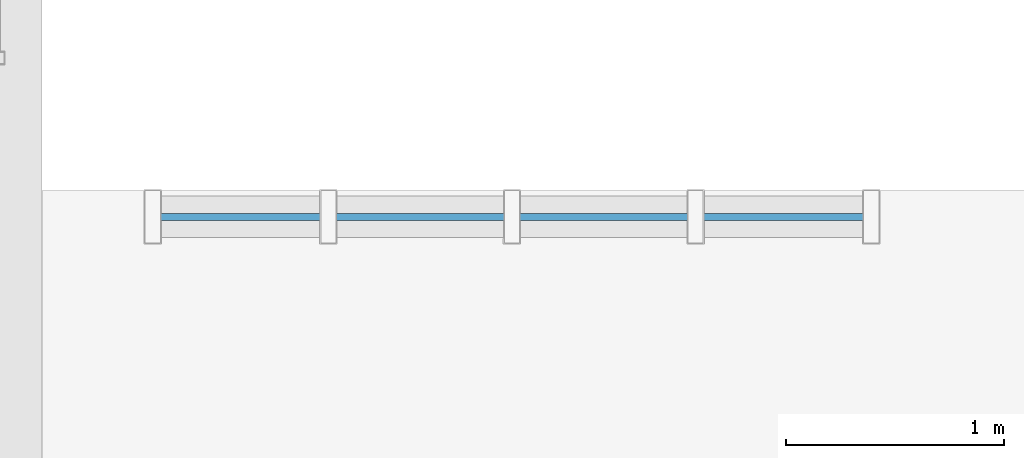
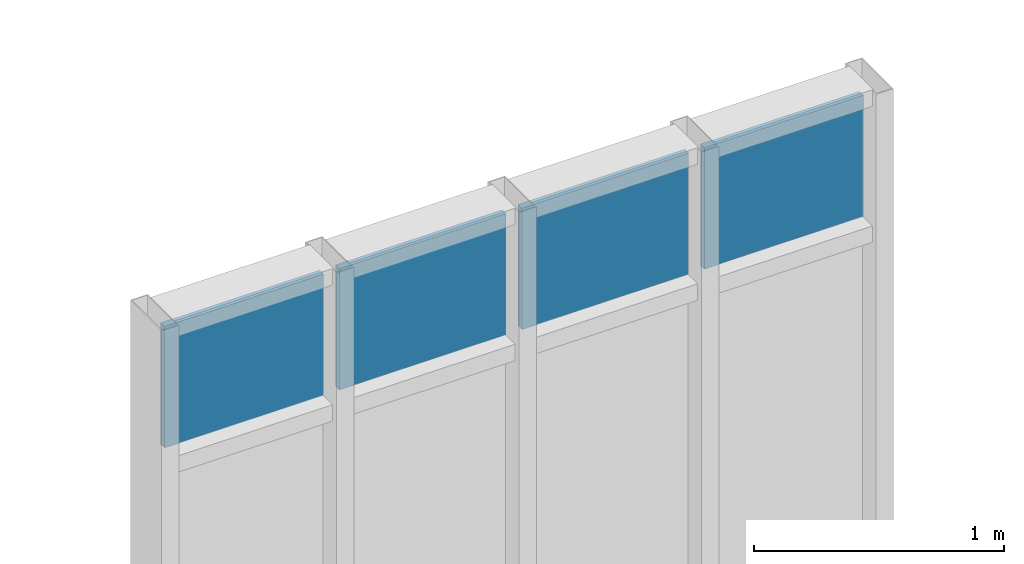
# One storey, part 168 of 189: 4 plates, 1 element without a shape of its own.
"""IFC4 building model written with IfcOpenShell, lengths in metres."""

from ifc_helpers import new_model, si_unit, direction, frame, origin, origin_2d, place, context, subcontext, project, spatial, rectangle, extrude, material, layer, layer_set, type_object, element, aggregate, save


model = new_model("IFC4")

# Units and contexts
model_context = context("Model", 3, precision=1e-05, world=origin(), true_north=direction((0.0, 1.0)))
body_context = subcontext(model_context, "Body", "Model", "MODEL_VIEW")
ifc_project = project(units=[si_unit("LENGTHUNIT", "METRE"), si_unit("AREAUNIT", "SQUARE_METRE"), si_unit("VOLUMEUNIT", "CUBIC_METRE"), si_unit("PLANEANGLEUNIT", "RADIAN"), si_unit("MASSUNIT", "GRAM", prefix="KILO"), si_unit("THERMODYNAMICTEMPERATUREUNIT", "KELVIN"), si_unit("POWERUNIT", "WATT")], contexts=[model_context])

# Site, building, storey
site_placement = place(None, origin())
site = spatial("IfcSite", under=ifc_project, at=site_placement, CompositionType="ELEMENT")
building_placement = place(site_placement, origin())
building = spatial("IfcBuilding", under=site, at=building_placement, Name="Zelmaris Science Centre", CompositionType="ELEMENT")
storey_placement = place(building_placement, origin())
storey = spatial("IfcBuildingStorey", under=building, at=storey_placement, Name="L00", CompositionType="ELEMENT", Elevation=0.0)

# Curtain wall, plates
ifc_material_1 = material(Name="Anodised architectural aluminium 6063-T6", Category="aluminium")
ifc_layer_1 = layer(ifc_material_1, 0.18994140625, Name="Anodised architectural aluminium 6063-T6")
ifc_layer_set_1 = layer_set([ifc_layer_1], Name="Anodised architectural aluminium 6063-T6")
curtain_wall_type = type_object("IfcCurtainWallType", Name="Curtain Wall CW-01", PredefinedType="USERDEFINED", material=ifc_layer_set_1)
curtain_wall_placement = place(storey_placement, origin())
curtain_wall = element("IfcCurtainWall", 1, at=curtain_wall_placement, inside=storey, type_object=curtain_wall_type, Name="L00 Unitised curtain wall 89", ObjectType="GLAZED CURTAIN WALL", PredefinedType="USERDEFINED")
ifc_material_2 = material(Name="Laminated hurricane-rated low-E insulated glazing", Category="glass")
ifc_layer_2 = layer(ifc_material_2, 0.031982421875, Name="Laminated hurricane-rated low-E insulated glazing")
ifc_layer_set_2 = layer_set([ifc_layer_2], Name="Laminated hurricane-rated low-E insulated glazing")
plate_type = type_object("IfcPlateType", Name="Curtain Glazing Panel CWP-1 32mm", PredefinedType="CURTAIN_PANEL", material=ifc_layer_set_2)
plate_1_placement = place(storey_placement, frame((109.039306640625, 65.8798828125, 3.93603515625), z_axis=(0.0, 0.0, 1.0), x_axis=(1.0, 0.0, 0.0)))
plate_1 = element("IfcPlate", 2, at=plate_1_placement, type_object=plate_type, Name="CW-01 panel 1.4", PredefinedType="CURTAIN_PANEL", context=body_context, shape_type="SweptSolid", body=[
    extrude(rectangle(XDim=0.734619140625, YDim=0.031982421875, at=origin_2d()), origin(), (0.0, 0.0, 1.0), 0.592041015625),
])
plate_2_placement = place(storey_placement, frame((109.86376953125, 65.8798828125, 3.93603515625), z_axis=(0.0, 0.0, 1.0), x_axis=(1.0, 0.0, 0.0)))
plate_2 = element("IfcPlate", 3, at=plate_2_placement, type_object=plate_type, Name="CW-01 panel 2.4", PredefinedType="CURTAIN_PANEL", context=body_context, shape_type="SweptSolid", body=[
    extrude(rectangle(XDim=0.7705078125, YDim=0.031982421875, at=origin_2d()), origin(), (0.0, 0.0, 1.0), 0.592041015625),
])
plate_3_placement = place(storey_placement, frame((110.706298828125, 65.8798828125, 3.93603515625), z_axis=(0.0, 0.0, 1.0), x_axis=(1.0, 0.0, 0.0)))
plate_3 = element("IfcPlate", 4, at=plate_3_placement, type_object=plate_type, Name="CW-01 panel 3.4", PredefinedType="CURTAIN_PANEL", context=body_context, shape_type="SweptSolid", body=[
    extrude(rectangle(XDim=0.7705078125, YDim=0.031982421875, at=origin_2d()), origin(), (0.0, 0.0, 1.0), 0.592041015625),
])
plate_4_placement = place(storey_placement, frame((111.53076171875, 65.8798828125, 3.93603515625), z_axis=(0.0, 0.0, 1.0), x_axis=(1.0, 0.0, 0.0)))
plate_4 = element("IfcPlate", 5, at=plate_4_placement, type_object=plate_type, Name="CW-01 panel 4.4", PredefinedType="CURTAIN_PANEL", context=body_context, shape_type="SweptSolid", body=[
    extrude(rectangle(XDim=0.734619140625, YDim=0.031982421875, at=origin_2d()), origin(), (0.0, 0.0, 1.0), 0.592041015625),
])
aggregate(curtain_wall, [plate_1, plate_2, plate_3, plate_4])

save(model, "model.ifc")
